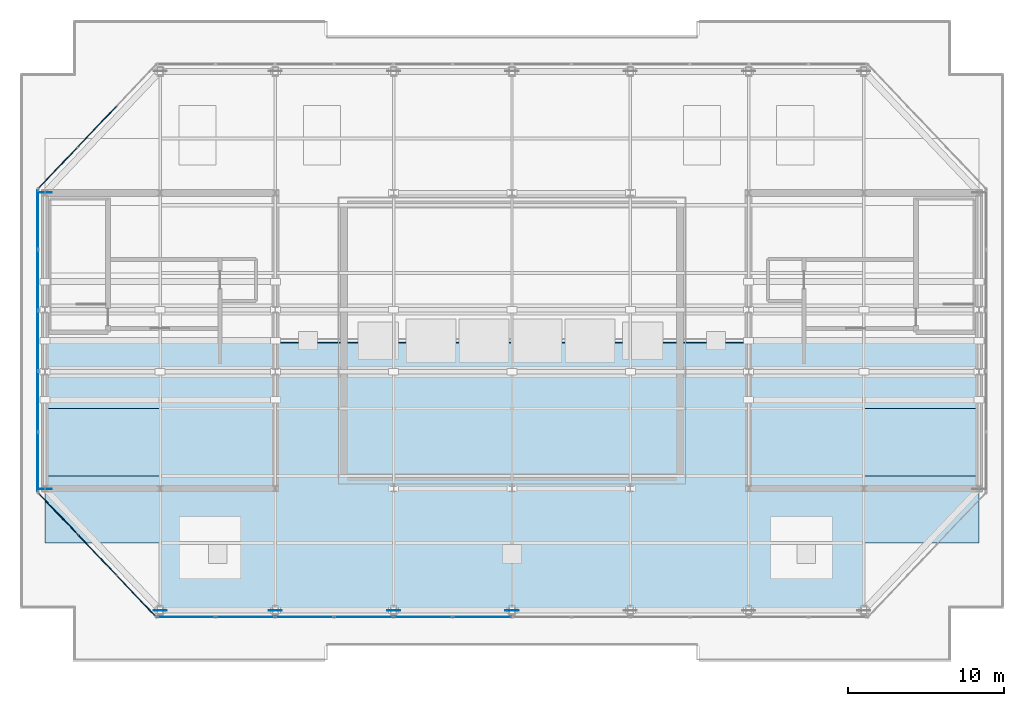
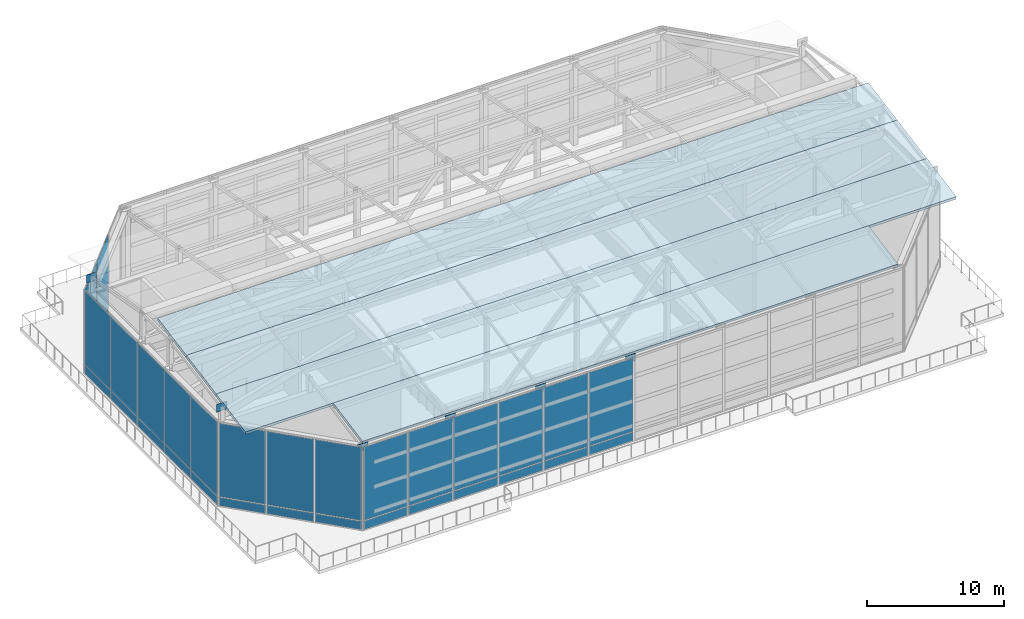
# One storey, part 20 of 25: 38 plates, 4 slabs, 4 elements without a shape of their own.
"""IFC4 building model written with IfcOpenShell, lengths in metres."""

from ifc_helpers import new_model, si_unit, direction, frame, origin, origin_2d, place, context, subcontext, project, spatial, polyline, rectangle, outline, extrude, source, transform, mapped, material, layer, layer_set, type_object, type_shapes, element, aggregate, save


model = new_model("IFC4")

# Units and contexts
model_context = context("Model", 3, precision=1e-05, world=origin(), true_north=direction((0.0, 1.0)))
body_context = subcontext(model_context, "Body", "Model", "MODEL_VIEW")
ifc_project = project(units=[si_unit("LENGTHUNIT", "METRE"), si_unit("AREAUNIT", "SQUARE_METRE"), si_unit("VOLUMEUNIT", "CUBIC_METRE"), si_unit("PLANEANGLEUNIT", "RADIAN"), si_unit("MASSUNIT", "GRAM", prefix="KILO")], contexts=[model_context])

# Site, building, storey
site_placement = place(None, origin())
site = spatial("IfcSite", under=ifc_project, at=site_placement, CompositionType="ELEMENT")
building_placement = place(site_placement, origin())
building = spatial("IfcBuilding", under=site, at=building_placement, Name="Haelvirn Gate Laboratories", CompositionType="ELEMENT")
storey_placement = place(building_placement, frame((0.0, 0.0, 337.800048828125)))
storey = spatial("IfcBuildingStorey", under=building, at=storey_placement, Name="RF", CompositionType="ELEMENT", Elevation=337.800048828125)

# Slabs
ifc_material_1 = material(Name="Concrete C40/50", Category="concrete")
ifc_layer_1 = layer(ifc_material_1, 0.260009765625, Name="SL-ROOF-260")
ifc_layer_set_1 = layer_set([ifc_layer_1], Name="Concrete C40/50")
slab_type = type_object("IfcSlabType", Name="SL-ROOF-260", PredefinedType="ROOF", material=ifc_layer_set_1)
slab_1_placement = place(storey_placement, frame((14.800048828125, 7.0, 7.599853515625), z_axis=(0.0, -0.187335065362, 0.982296072112), x_axis=(1.0, 0.0, 0.0)))
element("IfcSlab", 1, at=slab_1_placement, inside=storey, type_object=slab_type, Name="RF Vaulted Ring-Crown Roof Slab South Strip 1", PredefinedType="ROOF", context=body_context, shape_type="SweptSolid", body=[
    extrude(outline(polyline([(0.0, 0.0), (45.199951171875, 0.0), (45.199951171875, 4.37744140625), (0.0, 4.37744140625), (0.0, 0.0)])), origin(), (0.0, 0.0, -1.0), 0.260009765625),
])
slab_2_placement = place(storey_placement, frame((7.39990234375, 11.300048828125, 8.419921875), z_axis=(0.0, -0.182916698884, 0.983128415452), x_axis=(1.0, 0.0, 0.0)))
element("IfcSlab", 2, at=slab_2_placement, inside=storey, type_object=slab_type, Name="RF Vaulted Ring-Crown Roof Slab South Strip 2", PredefinedType="ROOF", context=body_context, shape_type="SweptSolid", body=[
    extrude(outline(polyline([(0.0, 0.0), (60.0, 0.0), (60.0, 4.373779296875), (0.0, 4.373779296875), (0.0, 0.0)])), origin(), (0.0, 0.0, -1.0), 0.260009765625),
])
slab_3_placement = place(storey_placement, frame((7.39990234375, 15.60009765625, 9.219970703125), z_axis=(0.0, -0.180891264697, 0.983503101346), x_axis=(1.0, 0.0, 0.0)))
element("IfcSlab", 3, at=slab_3_placement, inside=storey, type_object=slab_type, Name="RF Vaulted Ring-Crown Roof Slab South Strip 3", PredefinedType="ROOF", context=body_context, shape_type="SweptSolid", body=[
    extrude(outline(polyline([(0.0, 0.0), (60.0, 0.0), (60.0, 4.4228515625), (0.0, 4.4228515625), (0.0, 0.0)])), origin(), (0.0, 0.0, -1.0), 0.260009765625),
])
slab_4_placement = place(storey_placement, frame((7.39990234375, 19.949951171875, 10.02001953125), z_axis=(0.0, -0.182181142879, 0.98326498523), x_axis=(1.0, 0.0, 0.0)))
element("IfcSlab", 4, at=slab_4_placement, inside=storey, type_object=slab_type, Name="RF Vaulted Ring-Crown Roof Slab South Strip 4", PredefinedType="ROOF", context=body_context, shape_type="SweptSolid", body=[
    extrude(outline(polyline([(0.0, 0.0), (60.0, 0.0), (60.0, 4.281494140625), (0.0, 4.281494140625), (0.0, 0.0)])), origin(), (0.0, 0.0, -1.0), 0.260009765625),
])

# Plates
ifc_material_2 = material(Name="Steel SM420", Category="steel")
ifc_layer_2 = layer(ifc_material_2, 0.030029296875, Name="PL-NODE-ON2")
ifc_layer_set_2 = layer_set([ifc_layer_2], Name="Steel SM420")
plate_type_1 = type_object("IfcPlateType", Name="PL-NODE-ON2", PredefinedType="USERDEFINED", material=ifc_layer_set_2)
shared_shape_1 = source(origin(), body_context, "Body", "SweptSolid", [
    extrude(rectangle(XDim=0.85009765625, YDim=0.030029296875, at=origin_2d()), origin(), (0.0, 0.0, 1.0), 0.699951171875),
])
type_shapes(plate_type_1, [shared_shape_1])
for number, where, z_axis, x_axis, name in (
    (5, (7.39990234375, 14.784912109375, 8.22119140625), (0.0, 0.0, 1.0), (1.0, 0.0, 0.0), "RF Steel Truss Node Plate ON2"),
    (6, (7.39990234375, 33.81494140625, 8.22119140625), (0.0, 0.0, 1.0), (1.0, 0.0, 0.0), "RF Steel Truss Node Plate ON2"),
    (7, (14.800048828125, 6.985107421875, 6.75), (0.0, 0.0, 1.0), (1.0, 0.0, 0.0), "RF Steel Truss Node Plate ON2"),
    (8, (22.199951171875, 6.985107421875, 6.75), (0.0, 0.0, 1.0), (1.0, 0.0, 0.0), "RF Steel Truss Node Plate ON2"),
    (9, (29.800048828125, 6.985107421875, 6.75), (0.0, 0.0, 1.0), (1.0, 0.0, 0.0), "RF Steel Truss Node Plate ON2"),
    (10, (37.39990234375, 6.985107421875, 6.75), (0.0, 0.0, 1.0), (1.0, 0.0, 0.0), "RF Steel Truss Node Plate ON2"),
):
    element("IfcPlate", number, at=place(storey_placement, frame(where, z_axis=z_axis, x_axis=x_axis)), inside=storey, type_object=plate_type_1, Name=name, ObjectType="GUSSET_PLATE", PredefinedType="USERDEFINED", context=body_context, shape_type="MappedRepresentation", body=[
        mapped(shared_shape_1, transform((0.0, 0.0, 0.0), scale=1.0)),
    ])

# Curtain wall, plates
ifc_material_3 = material(Name="Anodised bronze unitised aluminium & triple low-E glass", Category="aluminium")
ifc_layer_3 = layer(ifc_material_3, 0.19189453125, Name="CW-SYS-6")
ifc_layer_set_3 = layer_set([ifc_layer_3], Name="Anodised bronze unitised aluminium & triple low-E glass")
curtain_wall_type = type_object("IfcCurtainWallType", Name="CW-SYS-6", PredefinedType="NOTDEFINED", material=ifc_layer_set_3)
curtain_wall_1_placement = place(storey_placement, origin())
curtain_wall_1 = element("IfcCurtainWall", 11, at=curtain_wall_1_placement, inside=storey, type_object=curtain_wall_type, Name="RF Unitised Curtain Wall CW-RF-RING-00", PredefinedType="NOTDEFINED")
ifc_material_4 = material(Name="Ceramic-fritted bronze acoustic crown glazing 52 mm", Category="glass")
ifc_layer_4 = layer(ifc_material_4, 0.052001953125, Name="CWP-FRT-52")
ifc_layer_set_4 = layer_set([ifc_layer_4], Name="Ceramic-fritted bronze acoustic crown glazing 52 mm")
plate_type_2 = type_object("IfcPlateType", Name="CWP-FRT-52", PredefinedType="CURTAIN_PANEL", material=ifc_layer_set_4)
shared_shape_2 = source(origin(), body_context, "Body", "SweptSolid", [
    extrude(rectangle(XDim=3.688232421875, YDim=0.052001953125, at=origin_2d()), origin(), (0.0, 0.0, 1.0), 0.7451171875),
])
plate_1_placement = place(storey_placement, frame((16.47412109375, 6.550048828125, 0.06982421875), z_axis=(0.0, 0.0, 1.0), x_axis=(1.0, 0.0, 0.0)))
plate_1 = element("IfcPlate", 12, at=plate_1_placement, type_object=plate_type_2, Name="CW6 panel 1.1", PredefinedType="CURTAIN_PANEL", context=body_context, shape_type="MappedRepresentation", body=[
    mapped(shared_shape_2, transform((0.0, 0.0, 0.0), scale=1.0)),
])
shared_shape_3 = source(origin(), body_context, "Body", "SweptSolid", [
    extrude(rectangle(XDim=3.688232421875, YDim=0.052001953125, at=origin_2d()), origin(), (0.0, 0.0, 1.0), 6.544921875),
])
plate_2_placement = place(storey_placement, frame((16.47412109375, 6.550048828125, 0.885009765625), z_axis=(0.0, 0.0, 1.0), x_axis=(1.0, 0.0, 0.0)))
plate_2 = element("IfcPlate", 13, at=plate_2_placement, type_object=plate_type_2, Name="CW6 panel 1.2", PredefinedType="CURTAIN_PANEL", context=body_context, shape_type="MappedRepresentation", body=[
    mapped(shared_shape_3, transform((0.0, 0.0, 0.0), scale=1.0)),
])
shared_shape_4 = source(origin(), body_context, "Body", "SweptSolid", [
    extrude(rectangle(XDim=3.728271484375, YDim=0.052001953125, at=origin_2d()), origin(), (0.0, 0.0, 1.0), 0.7451171875),
])
plate_3_placement = place(storey_placement, frame((20.262451171875, 6.550048828125, 0.06982421875), z_axis=(0.0, 0.0, 1.0), x_axis=(1.0, 0.0, 0.0)))
plate_3 = element("IfcPlate", 14, at=plate_3_placement, type_object=plate_type_2, Name="CW6 panel 2.1", PredefinedType="CURTAIN_PANEL", context=body_context, shape_type="MappedRepresentation", body=[
    mapped(shared_shape_4, transform((0.0, 0.0, 0.0), scale=1.0)),
])
plate_4_placement = place(storey_placement, frame((24.07080078125, 6.550048828125, 0.06982421875), z_axis=(0.0, 0.0, 1.0), x_axis=(1.0, 0.0, 0.0)))
plate_4 = element("IfcPlate", 15, at=plate_4_placement, type_object=plate_type_2, Name="CW6 panel 3.1", PredefinedType="CURTAIN_PANEL", context=body_context, shape_type="MappedRepresentation", body=[
    mapped(shared_shape_4, transform((0.0, 0.0, 0.0), scale=1.0)),
])
plate_5_placement = place(storey_placement, frame((27.879150390625, 6.550048828125, 0.06982421875), z_axis=(0.0, 0.0, 1.0), x_axis=(1.0, 0.0, 0.0)))
plate_5 = element("IfcPlate", 16, at=plate_5_placement, type_object=plate_type_2, Name="CW6 panel 4.1", PredefinedType="CURTAIN_PANEL", context=body_context, shape_type="MappedRepresentation", body=[
    mapped(shared_shape_4, transform((0.0, 0.0, 0.0), scale=1.0)),
])
plate_6_placement = place(storey_placement, frame((31.6875, 6.550048828125, 0.06982421875), z_axis=(0.0, 0.0, 1.0), x_axis=(1.0, 0.0, 0.0)))
plate_6 = element("IfcPlate", 17, at=plate_6_placement, type_object=plate_type_2, Name="CW6 panel 5.1", PredefinedType="CURTAIN_PANEL", context=body_context, shape_type="MappedRepresentation", body=[
    mapped(shared_shape_4, transform((0.0, 0.0, 0.0), scale=1.0)),
])
plate_7_placement = place(storey_placement, frame((35.495849609375, 6.550048828125, 0.06982421875), z_axis=(0.0, 0.0, 1.0), x_axis=(1.0, 0.0, 0.0)))
plate_7 = element("IfcPlate", 18, at=plate_7_placement, type_object=plate_type_2, Name="CW6 panel 6.1", PredefinedType="CURTAIN_PANEL", context=body_context, shape_type="MappedRepresentation", body=[
    mapped(shared_shape_4, transform((0.0, 0.0, 0.0), scale=1.0)),
])
shared_shape_5 = source(origin(), body_context, "Body", "SweptSolid", [
    extrude(rectangle(XDim=3.728271484375, YDim=0.052001953125, at=origin_2d()), origin(), (0.0, 0.0, 1.0), 6.544921875),
])
plate_8_placement = place(storey_placement, frame((20.262451171875, 6.550048828125, 0.885009765625), z_axis=(0.0, 0.0, 1.0), x_axis=(1.0, 0.0, 0.0)))
plate_8 = element("IfcPlate", 19, at=plate_8_placement, type_object=plate_type_2, Name="CW6 panel 2.2", PredefinedType="CURTAIN_PANEL", context=body_context, shape_type="MappedRepresentation", body=[
    mapped(shared_shape_5, transform((0.0, 0.0, 0.0), scale=1.0)),
])
plate_9_placement = place(storey_placement, frame((24.07080078125, 6.550048828125, 0.885009765625), z_axis=(0.0, 0.0, 1.0), x_axis=(1.0, 0.0, 0.0)))
plate_9 = element("IfcPlate", 20, at=plate_9_placement, type_object=plate_type_2, Name="CW6 panel 3.2", PredefinedType="CURTAIN_PANEL", context=body_context, shape_type="MappedRepresentation", body=[
    mapped(shared_shape_5, transform((0.0, 0.0, 0.0), scale=1.0)),
])
plate_10_placement = place(storey_placement, frame((27.879150390625, 6.550048828125, 0.885009765625), z_axis=(0.0, 0.0, 1.0), x_axis=(1.0, 0.0, 0.0)))
plate_10 = element("IfcPlate", 21, at=plate_10_placement, type_object=plate_type_2, Name="CW6 panel 4.2", PredefinedType="CURTAIN_PANEL", context=body_context, shape_type="MappedRepresentation", body=[
    mapped(shared_shape_5, transform((0.0, 0.0, 0.0), scale=1.0)),
])
plate_11_placement = place(storey_placement, frame((31.6875, 6.550048828125, 0.885009765625), z_axis=(0.0, 0.0, 1.0), x_axis=(1.0, 0.0, 0.0)))
plate_11 = element("IfcPlate", 22, at=plate_11_placement, type_object=plate_type_2, Name="CW6 panel 5.2", PredefinedType="CURTAIN_PANEL", context=body_context, shape_type="MappedRepresentation", body=[
    mapped(shared_shape_5, transform((0.0, 0.0, 0.0), scale=1.0)),
])
plate_12_placement = place(storey_placement, frame((35.495849609375, 6.550048828125, 0.885009765625), z_axis=(0.0, 0.0, 1.0), x_axis=(1.0, 0.0, 0.0)))
plate_12 = element("IfcPlate", 23, at=plate_12_placement, type_object=plate_type_2, Name="CW6 panel 6.2", PredefinedType="CURTAIN_PANEL", context=body_context, shape_type="MappedRepresentation", body=[
    mapped(shared_shape_5, transform((0.0, 0.0, 0.0), scale=1.0)),
])
aggregate(curtain_wall_1, [plate_1, plate_2, plate_3, plate_8, plate_4, plate_9, plate_5, plate_10, plate_6, plate_11, plate_7, plate_12])

# Curtain wall, plate
curtain_wall_2_placement = place(storey_placement, origin())
curtain_wall_2 = element("IfcCurtainWall", 24, at=curtain_wall_2_placement, inside=storey, type_object=curtain_wall_type, Name="RF Unitised Curtain Wall CW-RF-RING-05", PredefinedType="NOTDEFINED")
shared_shape_6 = source(origin(), body_context, "Body", "SweptSolid", [
    extrude(rectangle(XDim=3.55810546875, YDim=0.052001953125, at=origin_2d()), origin(), (0.0, 0.0, 1.0), 0.7451171875),
])
plate_13_placement = place(storey_placement, frame((8.23046875, 35.39794921875, 0.06982421875), z_axis=(0.0, 0.0, 1.0), x_axis=(-0.68874946192, -0.72499943359, 0.0)))
plate_13 = element("IfcPlate", 25, at=plate_13_placement, type_object=plate_type_2, Name="CW6 panel 3.1", PredefinedType="CURTAIN_PANEL", context=body_context, shape_type="MappedRepresentation", body=[
    mapped(shared_shape_6, transform((0.0, 0.0, 0.0), scale=1.0)),
])

# Curtain wall, plates
curtain_wall_3_placement = place(storey_placement, origin())
curtain_wall_3 = element("IfcCurtainWall", 26, at=curtain_wall_3_placement, inside=storey, type_object=curtain_wall_type, Name="RF Unitised Curtain Wall CW-RF-RING-07", PredefinedType="NOTDEFINED")
plate_14_placement = place(storey_placement, frame((8.23046875, 13.2021484375, 0.06982421875), z_axis=(0.0, 0.0, 1.0), x_axis=(0.68874946192, -0.72499943359, 0.0)))
plate_14 = element("IfcPlate", 27, at=plate_14_placement, type_object=plate_type_2, Name="CW6 panel 1.1", PredefinedType="CURTAIN_PANEL", context=body_context, shape_type="MappedRepresentation", body=[
    mapped(shared_shape_6, transform((0.0, 0.0, 0.0), scale=1.0)),
])
plate_15_placement = place(storey_placement, frame((13.26953125, 7.89794921875, 0.06982421875), z_axis=(0.0, 0.0, 1.0), x_axis=(0.68874946192, -0.72499943359, 0.0)))
plate_15 = element("IfcPlate", 28, at=plate_15_placement, type_object=plate_type_2, Name="CW6 panel 3.1", PredefinedType="CURTAIN_PANEL", context=body_context, shape_type="MappedRepresentation", body=[
    mapped(shared_shape_6, transform((0.0, 0.0, 0.0), scale=1.0)),
])

# Plate
shared_shape_7 = source(origin(), body_context, "Body", "SweptSolid", [
    extrude(rectangle(XDim=3.55810546875, YDim=0.052001953125, at=origin_2d()), origin(), (0.0, 0.0, 1.0), 6.544921875),
])
plate_16_placement = place(storey_placement, frame((8.23046875, 35.39794921875, 0.885009765625), z_axis=(0.0, 0.0, 1.0), x_axis=(-0.68874946192, -0.72499943359, 0.0)))
plate_16 = element("IfcPlate", 29, at=plate_16_placement, type_object=plate_type_2, Name="CW6 panel 3.2", PredefinedType="CURTAIN_PANEL", context=body_context, shape_type="MappedRepresentation", body=[
    mapped(shared_shape_7, transform((0.0, 0.0, 0.0), scale=1.0)),
])

plate_17_placement = place(storey_placement, frame((8.23046875, 13.2021484375, 0.885009765625), z_axis=(0.0, 0.0, 1.0), x_axis=(0.68874946192, -0.72499943359, 0.0)))
plate_17 = element("IfcPlate", 30, at=plate_17_placement, type_object=plate_type_2, Name="CW6 panel 1.2", PredefinedType="CURTAIN_PANEL", context=body_context, shape_type="MappedRepresentation", body=[
    mapped(shared_shape_7, transform((0.0, 0.0, 0.0), scale=1.0)),
])

plate_18_placement = place(storey_placement, frame((13.26953125, 7.89794921875, 0.885009765625), z_axis=(0.0, 0.0, 1.0), x_axis=(0.68874946192, -0.72499943359, 0.0)))
plate_18 = element("IfcPlate", 31, at=plate_18_placement, type_object=plate_type_2, Name="CW6 panel 3.2", PredefinedType="CURTAIN_PANEL", context=body_context, shape_type="MappedRepresentation", body=[
    mapped(shared_shape_7, transform((0.0, 0.0, 0.0), scale=1.0)),
])

shared_shape_8 = source(origin(), body_context, "Body", "SweptSolid", [
    extrude(rectangle(XDim=3.59814453125, YDim=0.052001953125, at=origin_2d()), origin(), (0.0, 0.0, 1.0), 0.7451171875),
])
plate_19_placement = place(storey_placement, frame((10.75, 38.050048828125, 0.06982421875), z_axis=(0.0, 0.0, 1.0), x_axis=(-0.68874946192, -0.72499943359, 0.0)))
plate_19 = element("IfcPlate", 32, at=plate_19_placement, type_object=plate_type_2, Name="CW6 panel 2.1", PredefinedType="CURTAIN_PANEL", context=body_context, shape_type="MappedRepresentation", body=[
    mapped(shared_shape_8, transform((0.0, 0.0, 0.0), scale=1.0)),
])

plate_20_placement = place(storey_placement, frame((10.75, 10.550048828125, 0.06982421875), z_axis=(0.0, 0.0, 1.0), x_axis=(0.68874946192, -0.72499943359, 0.0)))
plate_20 = element("IfcPlate", 33, at=plate_20_placement, type_object=plate_type_2, Name="CW6 panel 2.1", PredefinedType="CURTAIN_PANEL", context=body_context, shape_type="MappedRepresentation", body=[
    mapped(shared_shape_8, transform((0.0, 0.0, 0.0), scale=1.0)),
])

shared_shape_9 = source(origin(), body_context, "Body", "SweptSolid", [
    extrude(rectangle(XDim=3.59814453125, YDim=0.052001953125, at=origin_2d()), origin(), (0.0, 0.0, 1.0), 6.544921875),
])
plate_21_placement = place(storey_placement, frame((10.75, 38.050048828125, 0.885009765625), z_axis=(0.0, 0.0, 1.0), x_axis=(-0.68874946192, -0.72499943359, 0.0)))
plate_21 = element("IfcPlate", 34, at=plate_21_placement, type_object=plate_type_2, Name="CW6 panel 2.2", PredefinedType="CURTAIN_PANEL", context=body_context, shape_type="MappedRepresentation", body=[
    mapped(shared_shape_9, transform((0.0, 0.0, 0.0), scale=1.0)),
])

aggregate(curtain_wall_2, [plate_19, plate_21, plate_13, plate_16])

plate_22_placement = place(storey_placement, frame((10.75, 10.550048828125, 0.885009765625), z_axis=(0.0, 0.0, 1.0), x_axis=(0.68874946192, -0.72499943359, 0.0)))
plate_22 = element("IfcPlate", 35, at=plate_22_placement, type_object=plate_type_2, Name="CW6 panel 2.2", PredefinedType="CURTAIN_PANEL", context=body_context, shape_type="MappedRepresentation", body=[
    mapped(shared_shape_9, transform((0.0, 0.0, 0.0), scale=1.0)),
])

aggregate(curtain_wall_3, [plate_14, plate_17, plate_20, plate_22, plate_15, plate_18])

# Curtain wall, plates
curtain_wall_4_placement = place(storey_placement, origin())
curtain_wall_4 = element("IfcCurtainWall", 36, at=curtain_wall_4_placement, inside=storey, type_object=curtain_wall_type, Name="RF Unitised Curtain Wall CW-RF-RING-06", PredefinedType="NOTDEFINED")
shared_shape_10 = source(origin(), body_context, "Body", "SweptSolid", [
    extrude(rectangle(XDim=3.780029296875, YDim=0.052001953125, at=origin_2d()), origin(), (0.0, 0.0, 1.0), 0.7451171875),
])
plate_23_placement = place(storey_placement, frame((6.949951171875, 32.080078125, 0.06982421875), z_axis=(0.0, 0.0, 1.0), x_axis=(0.0, -1.0, 0.0)))
plate_23 = element("IfcPlate", 37, at=plate_23_placement, type_object=plate_type_2, Name="CW6 panel 1.1", PredefinedType="CURTAIN_PANEL", context=body_context, shape_type="MappedRepresentation", body=[
    mapped(shared_shape_10, transform((0.0, 0.0, 0.0), scale=1.0)),
])
plate_24_placement = place(storey_placement, frame((6.949951171875, 16.52001953125, 0.06982421875), z_axis=(0.0, 0.0, 1.0), x_axis=(0.0, -1.0, 0.0)))
plate_24 = element("IfcPlate", 38, at=plate_24_placement, type_object=plate_type_2, Name="CW6 panel 5.1", PredefinedType="CURTAIN_PANEL", context=body_context, shape_type="MappedRepresentation", body=[
    mapped(shared_shape_10, transform((0.0, 0.0, 0.0), scale=1.0)),
])
shared_shape_11 = source(origin(), body_context, "Body", "SweptSolid", [
    extrude(rectangle(XDim=3.780029296875, YDim=0.052001953125, at=origin_2d()), origin(), (0.0, 0.0, 1.0), 6.544921875),
])
plate_25_placement = place(storey_placement, frame((6.949951171875, 32.080078125, 0.885009765625), z_axis=(0.0, 0.0, 1.0), x_axis=(0.0, -1.0, 0.0)))
plate_25 = element("IfcPlate", 39, at=plate_25_placement, type_object=plate_type_2, Name="CW6 panel 1.2", PredefinedType="CURTAIN_PANEL", context=body_context, shape_type="MappedRepresentation", body=[
    mapped(shared_shape_11, transform((0.0, 0.0, 0.0), scale=1.0)),
])
plate_26_placement = place(storey_placement, frame((6.949951171875, 16.52001953125, 0.885009765625), z_axis=(0.0, 0.0, 1.0), x_axis=(0.0, -1.0, 0.0)))
plate_26 = element("IfcPlate", 40, at=plate_26_placement, type_object=plate_type_2, Name="CW6 panel 5.2", PredefinedType="CURTAIN_PANEL", context=body_context, shape_type="MappedRepresentation", body=[
    mapped(shared_shape_11, transform((0.0, 0.0, 0.0), scale=1.0)),
])
shared_shape_12 = source(origin(), body_context, "Body", "SweptSolid", [
    extrude(rectangle(XDim=3.820068359375, YDim=0.052001953125, at=origin_2d()), origin(), (0.0, 0.0, 1.0), 0.7451171875),
])
plate_27_placement = place(storey_placement, frame((6.949951171875, 28.199951171875, 0.06982421875), z_axis=(0.0, 0.0, 1.0), x_axis=(0.0, -1.0, 0.0)))
plate_27 = element("IfcPlate", 41, at=plate_27_placement, type_object=plate_type_2, Name="CW6 panel 2.1", PredefinedType="CURTAIN_PANEL", context=body_context, shape_type="MappedRepresentation", body=[
    mapped(shared_shape_12, transform((0.0, 0.0, 0.0), scale=1.0)),
])
plate_28_placement = place(storey_placement, frame((6.949951171875, 24.300048828125, 0.06982421875), z_axis=(0.0, 0.0, 1.0), x_axis=(0.0, -1.0, 0.0)))
plate_28 = element("IfcPlate", 42, at=plate_28_placement, type_object=plate_type_2, Name="CW6 panel 3.1", PredefinedType="CURTAIN_PANEL", context=body_context, shape_type="MappedRepresentation", body=[
    mapped(shared_shape_12, transform((0.0, 0.0, 0.0), scale=1.0)),
])
plate_29_placement = place(storey_placement, frame((6.949951171875, 20.39990234375, 0.06982421875), z_axis=(0.0, 0.0, 1.0), x_axis=(0.0, -1.0, 0.0)))
plate_29 = element("IfcPlate", 43, at=plate_29_placement, type_object=plate_type_2, Name="CW6 panel 4.1", PredefinedType="CURTAIN_PANEL", context=body_context, shape_type="MappedRepresentation", body=[
    mapped(shared_shape_12, transform((0.0, 0.0, 0.0), scale=1.0)),
])
shared_shape_13 = source(origin(), body_context, "Body", "SweptSolid", [
    extrude(rectangle(XDim=3.820068359375, YDim=0.052001953125, at=origin_2d()), origin(), (0.0, 0.0, 1.0), 6.544921875),
])
type_shapes(plate_type_2, [shared_shape_2, shared_shape_3, shared_shape_4, shared_shape_5, shared_shape_6, shared_shape_7, shared_shape_8, shared_shape_9, shared_shape_10, shared_shape_11, shared_shape_12, shared_shape_13])
plate_30_placement = place(storey_placement, frame((6.949951171875, 28.199951171875, 0.885009765625), z_axis=(0.0, 0.0, 1.0), x_axis=(0.0, -1.0, 0.0)))
plate_30 = element("IfcPlate", 44, at=plate_30_placement, type_object=plate_type_2, Name="CW6 panel 2.2", PredefinedType="CURTAIN_PANEL", context=body_context, shape_type="MappedRepresentation", body=[
    mapped(shared_shape_13, transform((0.0, 0.0, 0.0), scale=1.0)),
])
plate_31_placement = place(storey_placement, frame((6.949951171875, 24.300048828125, 0.885009765625), z_axis=(0.0, 0.0, 1.0), x_axis=(0.0, -1.0, 0.0)))
plate_31 = element("IfcPlate", 45, at=plate_31_placement, type_object=plate_type_2, Name="CW6 panel 3.2", PredefinedType="CURTAIN_PANEL", context=body_context, shape_type="MappedRepresentation", body=[
    mapped(shared_shape_13, transform((0.0, 0.0, 0.0), scale=1.0)),
])
plate_32_placement = place(storey_placement, frame((6.949951171875, 20.39990234375, 0.885009765625), z_axis=(0.0, 0.0, 1.0), x_axis=(0.0, -1.0, 0.0)))
plate_32 = element("IfcPlate", 46, at=plate_32_placement, type_object=plate_type_2, Name="CW6 panel 4.2", PredefinedType="CURTAIN_PANEL", context=body_context, shape_type="MappedRepresentation", body=[
    mapped(shared_shape_13, transform((0.0, 0.0, 0.0), scale=1.0)),
])
aggregate(curtain_wall_4, [plate_23, plate_25, plate_27, plate_30, plate_28, plate_31, plate_29, plate_32, plate_24, plate_26])

save(model, "model.ifc")
